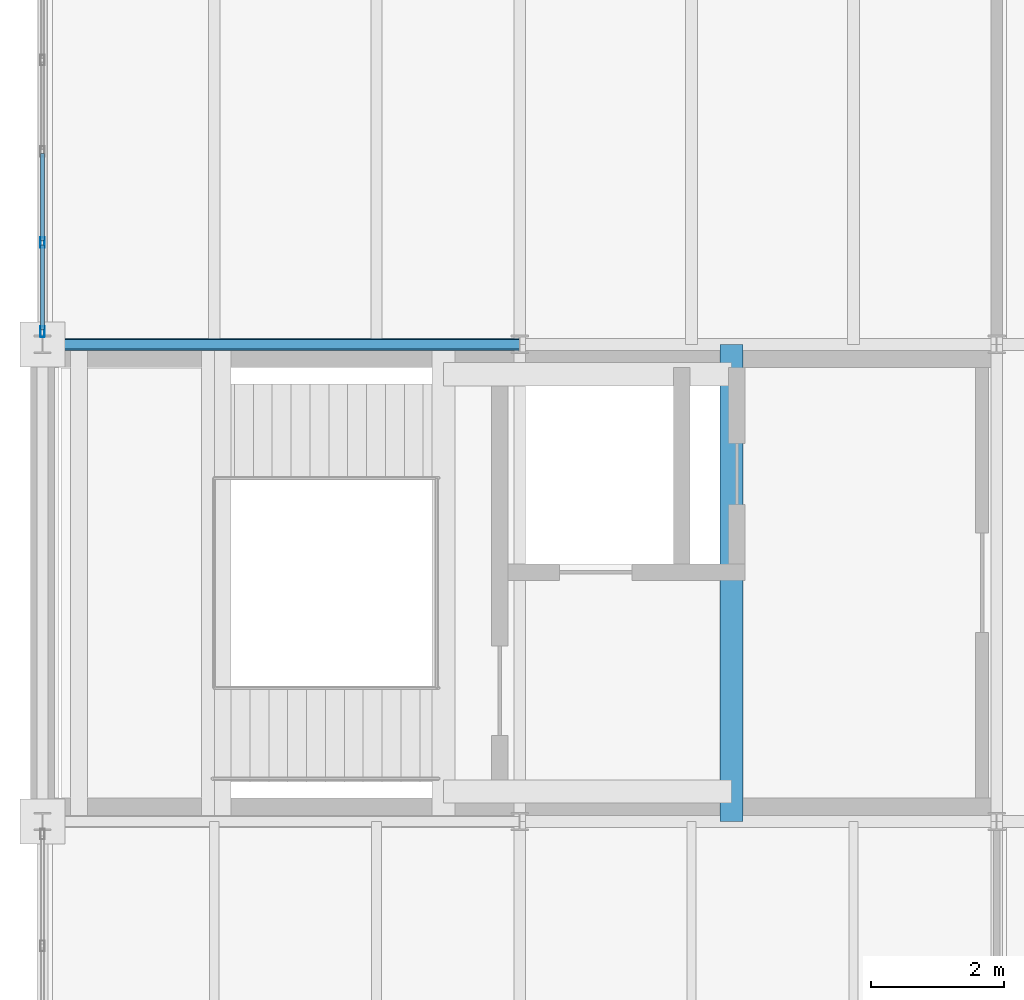
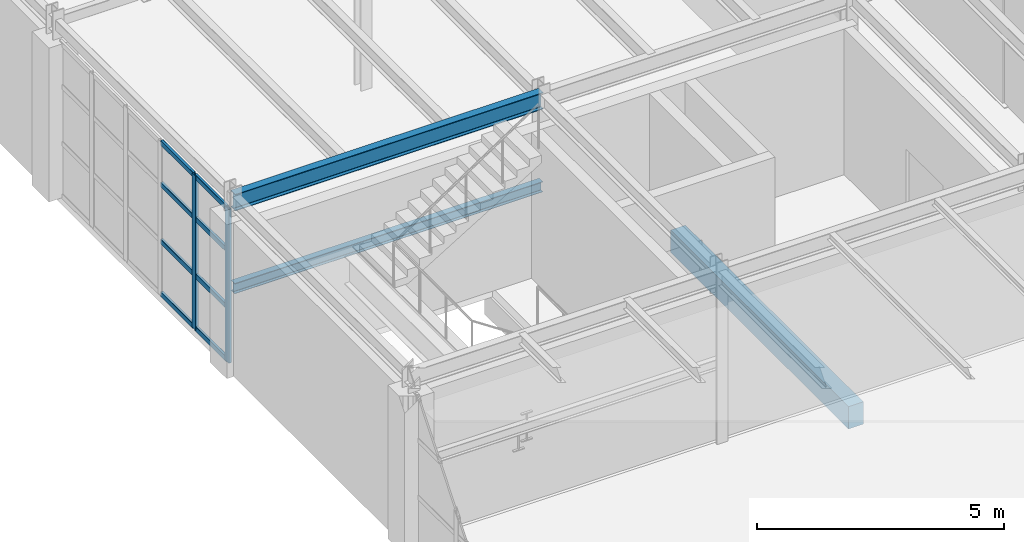
# One storey, part 19 of 101: 10 members, 3 beams, 1 element without a shape of its own.
"""IFC4 building model written with IfcOpenShell, lengths in metres."""

from ifc_helpers import new_model, si_unit, direction, frame, origin, origin_2d, place, context, subcontext, project, spatial, rectangle, hollow_rectangle, i_section, extrude, material, layer, layer_set, material_profile, profile_set, type_object, element, aggregate, save


model = new_model("IFC4")

# Units and contexts
model_context = context("Model", 3, precision=1e-05, world=origin(), true_north=direction((0.0, 1.0)))
body_context = subcontext(model_context, "Body", "Model", "MODEL_VIEW")
ifc_project = project(units=[si_unit("LENGTHUNIT", "METRE"), si_unit("AREAUNIT", "SQUARE_METRE"), si_unit("VOLUMEUNIT", "CUBIC_METRE"), si_unit("PLANEANGLEUNIT", "RADIAN"), si_unit("MASSUNIT", "GRAM", prefix="KILO")], contexts=[model_context])

# Site, building, storey
site_placement = place(None, origin())
site = spatial("IfcSite", under=ifc_project, at=site_placement, CompositionType="ELEMENT")
building_placement = place(site_placement, origin())
building = spatial("IfcBuilding", under=site, at=building_placement, Name="Kemerveld Promenade Tramway Depot", CompositionType="ELEMENT")
storey_placement = place(building_placement, frame((0.0, 0.0, 9.89990234375)))
storey = spatial("IfcBuildingStorey", under=building, at=storey_placement, Name="L02", CompositionType="ELEMENT", Elevation=9.89990234375)

# Beams
ifc_material_1 = material(Name="Steel S355", Category="steel")
ifc_material_profile_1 = material_profile(ifc_material_1, i_section(OverallWidth=0.1787109375, OverallDepth=0.409423828125, WebThickness=0.0087890625, FlangeThickness=0.014404296875, FilletRadius=0.01025390625, at=origin_2d()), Name="406x178x67 UB")
ifc_profile_set_1 = profile_set([ifc_material_profile_1], Name="Steel S355")
beam_type_1 = type_object("IfcBeamType", Name="BM-G07", PredefinedType="BEAM", material=ifc_profile_set_1)
beam_1_placement = place(storey_placement, frame((0.0, 21.60009765625, 4.075439453125), z_axis=(1.0, 0.0, 0.0), x_axis=(0.0, 1.0, 0.0)))
element("IfcBeam", 1, at=beam_1_placement, inside=storey, type_object=beam_type_1, Name="BMX-L02-01-02-D", PredefinedType="BEAM", context=body_context, shape_type="SweptSolid", body=[
    extrude(i_section(OverallWidth=0.1787109375, OverallDepth=0.409423828125, WebThickness=0.0087890625, FlangeThickness=0.014404296875, FilletRadius=0.01025390625, at=origin_2d()), origin(), (0.0, 0.0, 1.0), 7.199951171875),
])
ifc_material_profile_2 = material_profile(ifc_material_1, i_section(OverallWidth=0.146484375, OverallDepth=0.256103515625, WebThickness=0.00634765625, FlangeThickness=0.010986328125, FilletRadius=0.007568359375, at=origin_2d()), Name="254x146x37 UB")
ifc_profile_set_2 = profile_set([ifc_material_profile_2], Name="Steel S355")
beam_type_2 = type_object("IfcBeamType", Name="BM-J02", PredefinedType="JOIST", material=ifc_profile_set_2)
beam_2_placement = place(storey_placement, frame((0.0, 21.60009765625, 1.942138671875), z_axis=(1.0, 0.0, 0.0), x_axis=(0.0, 1.0, 0.0)))
element("IfcBeam", 2, at=beam_2_placement, inside=storey, type_object=beam_type_2, Name="BM-HLY-ST-01-L02-N", PredefinedType="JOIST", context=body_context, shape_type="SweptSolid", body=[
    extrude(i_section(OverallWidth=0.146484375, OverallDepth=0.256103515625, WebThickness=0.00634765625, FlangeThickness=0.010986328125, FilletRadius=0.007568359375, at=origin_2d()), origin(), (0.0, 0.0, 1.0), 7.199951171875),
])
ifc_material_2 = material(Name="Concrete C40/50", Category="concrete")
ifc_material_profile_3 = material_profile(ifc_material_2, rectangle(XDim=0.35009765625, YDim=0.550048828125, at=origin_2d()), Name="RC-BM-350x550")
ifc_profile_set_3 = profile_set([ifc_material_profile_3], Name="Concrete C40/50")
beam_type_3 = type_object("IfcBeamType", Name="BM-RC3", PredefinedType="BEAM", material=ifc_profile_set_3)
beam_3_placement = place(storey_placement, frame((10.39990234375, 14.39990234375, -0.5048828125), z_axis=(0.0, 1.0, 0.0), x_axis=(-1.0, 0.0, 0.0)))
element("IfcBeam", 3, at=beam_3_placement, inside=storey, type_object=beam_type_3, Name="BM-CORE-C1-L02-E", PredefinedType="BEAM", context=body_context, shape_type="SweptSolid", body=[
    extrude(rectangle(XDim=0.35009765625, YDim=0.550048828125, at=origin_2d()), origin(), (0.0, 0.0, 1.0), 7.2001953125),
])

# Curtain wall, members
ifc_material_3 = material(Name="Bronze anodised aluminium and solar glass", Category="aluminium")
ifc_layer = layer(ifc_material_3, 0.159912109375)
ifc_layer_set = layer_set([ifc_layer], Name="CW-SYS-07")
curtain_wall_type = type_object("IfcCurtainWallType", Name="CW-SYS-07", PredefinedType="USERDEFINED", material=ifc_layer_set)
curtain_wall_placement = place(storey_placement, origin())
curtain_wall = element("IfcCurtainWall", 4, at=curtain_wall_placement, inside=storey, type_object=curtain_wall_type, Name="CW-L02-V5W-04", ObjectType="GLAZED_CURTAIN_WALL", PredefinedType="USERDEFINED")
ifc_material_4 = material(Name="Bronze anodised aluminium", Category="aluminium")
ifc_material_profile_4 = material_profile(ifc_material_4, hollow_rectangle(XDim=0.06494140625, YDim=0.159912109375, WallThickness=0.00390625, InnerFilletRadius=0.001953125, OuterFilletRadius=0.00390625, at=origin_2d()), Name="CW-MUL-160x65")
ifc_profile_set_4 = profile_set([ifc_material_profile_4], Name="Bronze anodised aluminium")
member_type_1 = type_object("IfcMemberType", Name="CW-MUL-A", PredefinedType="MULLION", material=ifc_profile_set_4)
member_1_placement = place(storey_placement, frame((0.0, 21.790771484375, 0.0), z_axis=(0.0, 0.0, 1.0), x_axis=(-1.0, 0.0, 0.0)))
member_1 = element("IfcMember", 5, at=member_1_placement, type_object=member_type_1, Name="CW07 mullion 1", PredefinedType="MULLION", context=body_context, shape_type="SweptSolid", body=[
    extrude(hollow_rectangle(XDim=0.06494140625, YDim=0.159912109375, WallThickness=0.00390625, InnerFilletRadius=0.001953125, OuterFilletRadius=0.00390625, at=origin_2d()), origin(), (0.0, 0.0, 1.0), 3.800048828125),
])
member_2_placement = place(storey_placement, frame((0.0, 23.135009765625, 0.0), z_axis=(0.0, 0.0, 1.0), x_axis=(-1.0, 0.0, 0.0)))
member_2 = element("IfcMember", 6, at=member_2_placement, type_object=member_type_1, Name="CW07 mullion 2", PredefinedType="MULLION", context=body_context, shape_type="SweptSolid", body=[
    extrude(hollow_rectangle(XDim=0.06494140625, YDim=0.159912109375, WallThickness=0.00390625, InnerFilletRadius=0.001953125, OuterFilletRadius=0.00390625, at=origin_2d()), origin(), (0.0, 0.0, 1.0), 3.800048828125),
])
ifc_material_profile_5 = material_profile(ifc_material_4, hollow_rectangle(XDim=0.06005859375, YDim=0.1201171875, WallThickness=0.00390625, InnerFilletRadius=0.001953125, OuterFilletRadius=0.00390625, at=origin_2d()), Name="CW-TRN-120x60")
ifc_profile_set_5 = profile_set([ifc_material_profile_5], Name="Bronze anodised aluminium")
member_type_2 = type_object("IfcMemberType", Name="CW-TRN-A", PredefinedType="USERDEFINED", material=ifc_profile_set_5)
member_3_placement = place(storey_placement, frame((0.0, 21.8232421875, 0.030029296875), z_axis=(0.0, 1.0, 0.0), x_axis=(-1.0, 0.0, 0.0)))
member_3 = element("IfcMember", 7, at=member_3_placement, type_object=member_type_2, Name="CW07 transom 1.1", ObjectType="TRANSOM", PredefinedType="USERDEFINED", context=body_context, shape_type="SweptSolid", body=[
    extrude(hollow_rectangle(XDim=0.06005859375, YDim=0.1201171875, WallThickness=0.00390625, InnerFilletRadius=0.001953125, OuterFilletRadius=0.00390625, at=origin_2d()), origin(), (0.0, 0.0, 1.0), 1.279296875),
])
member_4_placement = place(storey_placement, frame((0.0, 21.8232421875, 1.330078125), z_axis=(0.0, 1.0, 0.0), x_axis=(-1.0, 0.0, 0.0)))
member_4 = element("IfcMember", 8, at=member_4_placement, type_object=member_type_2, Name="CW07 transom 1.2", ObjectType="TRANSOM", PredefinedType="USERDEFINED", context=body_context, shape_type="SweptSolid", body=[
    extrude(hollow_rectangle(XDim=0.06005859375, YDim=0.1201171875, WallThickness=0.00390625, InnerFilletRadius=0.001953125, OuterFilletRadius=0.00390625, at=origin_2d()), origin(), (0.0, 0.0, 1.0), 1.279296875),
])
member_5_placement = place(storey_placement, frame((0.0, 21.8232421875, 2.736083984375), z_axis=(0.0, 1.0, 0.0), x_axis=(-1.0, 0.0, 0.0)))
member_5 = element("IfcMember", 9, at=member_5_placement, type_object=member_type_2, Name="CW07 transom 1.3", ObjectType="TRANSOM", PredefinedType="USERDEFINED", context=body_context, shape_type="SweptSolid", body=[
    extrude(hollow_rectangle(XDim=0.06005859375, YDim=0.1201171875, WallThickness=0.00390625, InnerFilletRadius=0.001953125, OuterFilletRadius=0.00390625, at=origin_2d()), origin(), (0.0, 0.0, 1.0), 1.279296875),
])
member_6_placement = place(storey_placement, frame((0.0, 21.8232421875, 3.77001953125), z_axis=(0.0, 1.0, 0.0), x_axis=(-1.0, 0.0, 0.0)))
member_6 = element("IfcMember", 10, at=member_6_placement, type_object=member_type_2, Name="CW07 transom 1.4", ObjectType="TRANSOM", PredefinedType="USERDEFINED", context=body_context, shape_type="SweptSolid", body=[
    extrude(hollow_rectangle(XDim=0.06005859375, YDim=0.1201171875, WallThickness=0.00390625, InnerFilletRadius=0.001953125, OuterFilletRadius=0.00390625, at=origin_2d()), origin(), (0.0, 0.0, 1.0), 1.279296875),
])
member_7_placement = place(storey_placement, frame((0.0, 23.16748046875, 0.030029296875), z_axis=(0.0, 1.0, 0.0), x_axis=(-1.0, 0.0, 0.0)))
member_7 = element("IfcMember", 11, at=member_7_placement, type_object=member_type_2, Name="CW07 transom 2.1", ObjectType="TRANSOM", PredefinedType="USERDEFINED", context=body_context, shape_type="SweptSolid", body=[
    extrude(hollow_rectangle(XDim=0.06005859375, YDim=0.1201171875, WallThickness=0.00390625, InnerFilletRadius=0.001953125, OuterFilletRadius=0.00390625, at=origin_2d()), origin(), (0.0, 0.0, 1.0), 1.311767578125),
])
member_8_placement = place(storey_placement, frame((0.0, 23.16748046875, 1.330078125), z_axis=(0.0, 1.0, 0.0), x_axis=(-1.0, 0.0, 0.0)))
member_8 = element("IfcMember", 12, at=member_8_placement, type_object=member_type_2, Name="CW07 transom 2.2", ObjectType="TRANSOM", PredefinedType="USERDEFINED", context=body_context, shape_type="SweptSolid", body=[
    extrude(hollow_rectangle(XDim=0.06005859375, YDim=0.1201171875, WallThickness=0.00390625, InnerFilletRadius=0.001953125, OuterFilletRadius=0.00390625, at=origin_2d()), origin(), (0.0, 0.0, 1.0), 1.311767578125),
])
member_9_placement = place(storey_placement, frame((0.0, 23.16748046875, 2.736083984375), z_axis=(0.0, 1.0, 0.0), x_axis=(-1.0, 0.0, 0.0)))
member_9 = element("IfcMember", 13, at=member_9_placement, type_object=member_type_2, Name="CW07 transom 2.3", ObjectType="TRANSOM", PredefinedType="USERDEFINED", context=body_context, shape_type="SweptSolid", body=[
    extrude(hollow_rectangle(XDim=0.06005859375, YDim=0.1201171875, WallThickness=0.00390625, InnerFilletRadius=0.001953125, OuterFilletRadius=0.00390625, at=origin_2d()), origin(), (0.0, 0.0, 1.0), 1.311767578125),
])
member_10_placement = place(storey_placement, frame((0.0, 23.16748046875, 3.77001953125), z_axis=(0.0, 1.0, 0.0), x_axis=(-1.0, 0.0, 0.0)))
member_10 = element("IfcMember", 14, at=member_10_placement, type_object=member_type_2, Name="CW07 transom 2.4", ObjectType="TRANSOM", PredefinedType="USERDEFINED", context=body_context, shape_type="SweptSolid", body=[
    extrude(hollow_rectangle(XDim=0.06005859375, YDim=0.1201171875, WallThickness=0.00390625, InnerFilletRadius=0.001953125, OuterFilletRadius=0.00390625, at=origin_2d()), origin(), (0.0, 0.0, 1.0), 1.311767578125),
])
aggregate(curtain_wall, [member_1, member_2, member_3, member_4, member_5, member_6, member_7, member_8, member_9, member_10])

save(model, "model.ifc")
